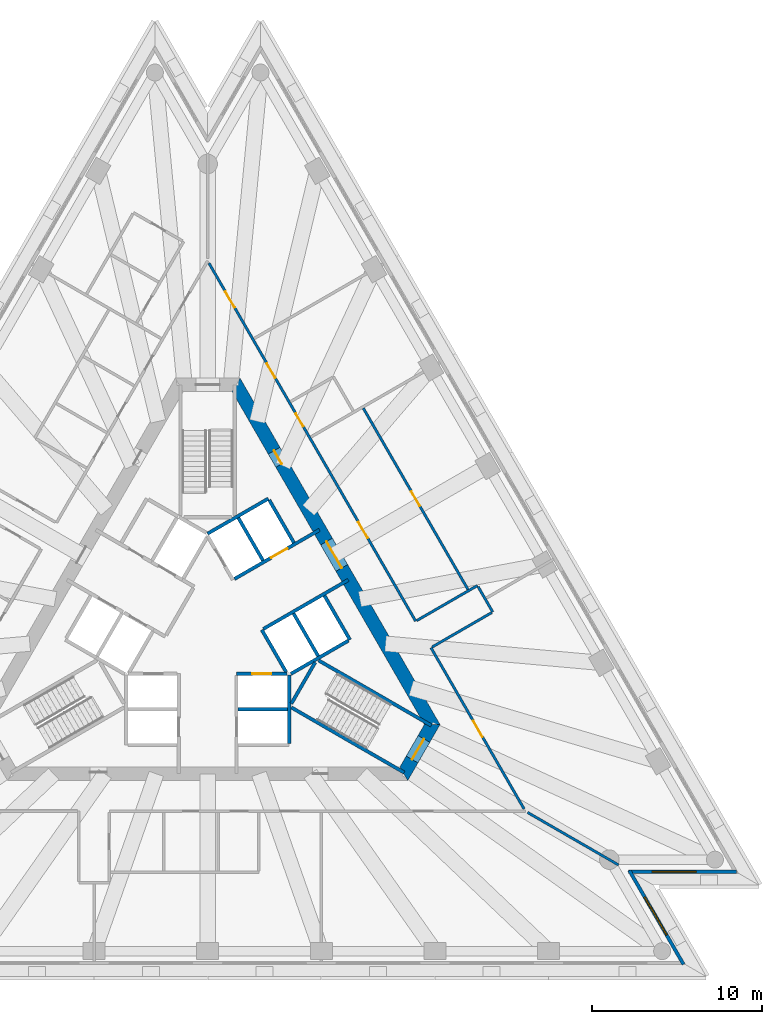
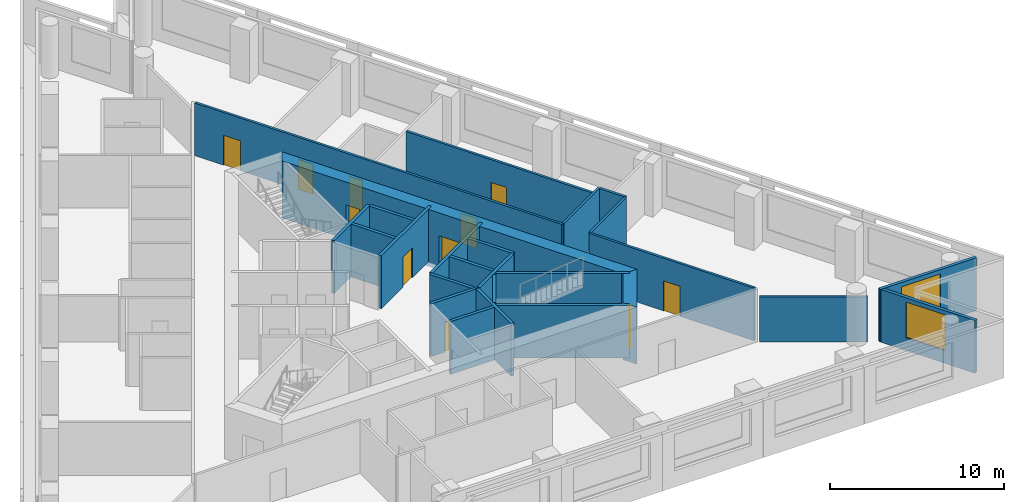
# One storey, part 5 of 9: 26 walls, 11 doors, 2 windows, 13 openings.
"""IFC4 building model written with IfcOpenShell, lengths in metres."""

from ifc_helpers import new_model, si_unit, direction, frame, frame_2d, origin, place, context, subcontext, project, spatial, polyline, rectangle, outline, extrude, material, layer, layer_set, layer_usage, type_object, element, fill, save


model = new_model("IFC4")

# Units and contexts
model_context = context("Model", 3, precision=1e-05, world=origin(), true_north=direction((0.0, 1.0)))
body_context = subcontext(model_context, "Body", "Model", "MODEL_VIEW")
ifc_project = project(units=[si_unit("LENGTHUNIT", "METRE"), si_unit("AREAUNIT", "SQUARE_METRE"), si_unit("VOLUMEUNIT", "CUBIC_METRE"), si_unit("PLANEANGLEUNIT", "RADIAN"), si_unit("MASSUNIT", "GRAM", prefix="KILO")], contexts=[model_context])

# Site, building, storey
site_placement = place(None, origin())
site = spatial("IfcSite", under=ifc_project, at=site_placement, CompositionType="ELEMENT")
building_placement = place(site_placement, origin())
building = spatial("IfcBuilding", under=site, at=building_placement, Name="Triada Interchange Tower", CompositionType="ELEMENT")
storey_placement = place(building_placement, frame((0.0, 0.0, 144.300048828125)))
storey = spatial("IfcBuildingStorey", under=building, at=storey_placement, Name="L33", CompositionType="ELEMENT", Elevation=144.300048828125)

# Wall
ifc_material_1 = material(Name="Concrete C30/37", Category="concrete")
ifc_layer_1 = layer(ifc_material_1, 0.199951171875)
ifc_layer_set_1 = layer_set([ifc_layer_1], Name="CORE WALL 200 EI 120")
wall_type_1 = type_object("IfcWallType", Name="CORE WALL 200 EI 120", PredefinedType="SOLIDWALL", material=ifc_layer_set_1)
wall_1_placement = place(storey_placement, frame((1.800048828125, -4.800048828125, 0.0), z_axis=(0.0, 0.0, 1.0), x_axis=(1.0, 0.0, 0.0)))
element("IfcWall", 1, at=wall_1_placement, inside=storey, type_object=wall_type_1, Name="Wall L32 49", PredefinedType="SOLIDWALL", context=body_context, shape_type="SweptSolid", body=[
    extrude(rectangle(XDim=2.89990234375, YDim=0.199951171875, at=frame_2d((1.449951171875, 0.0))), origin(), (0.0, 0.0, 1.0), 3.699951171875),
])

# Wall, opening, door
wall_2_placement = place(storey_placement, frame((1.702880859375, -2.699951171875, 0.0), z_axis=(0.0, 0.0, 1.0), x_axis=(1.0, 0.0, 0.0)))
wall_2 = element("IfcWall", 2, at=wall_2_placement, inside=storey, type_object=wall_type_1, Name="Wall L32 55", PredefinedType="SOLIDWALL", context=body_context, shape_type="SweptSolid", body=[
    extrude(rectangle(XDim=2.97314453125, YDim=0.199951171875, at=frame_2d((1.486572265625, 0.0))), origin(), (0.0, 0.0, 1.0), 3.699951171875),
])
opening_1_placement = place(wall_2_placement, frame((0.93603515625, 0.0, 0.0)))
opening_1 = element("IfcOpeningElement", 3, at=opening_1_placement, cuts=wall_2, Name="Opening LD-LR1", PredefinedType="OPENING", context=body_context, shape_type="SweptSolid", body=[
    extrude(rectangle(XDim=1.10009765625, YDim=2.10009765625, at=frame_2d((0.550048828125, 1.050048828125))), frame((0.0, 0.10986328125, 0.0), z_axis=(0.0, -1.0, 0.0), x_axis=(1.0, 0.0, 0.0)), (0.0, 0.0, 1.0), 0.219970703125),
])
ifc_material_2 = material(Name="Steel S235 door leaf", Category="steel")
door_type_1 = type_object("IfcDoorType", Name="LIFT LANDING DOOR 1100 EI 120", OperationType="SLIDING_TO_LEFT", PredefinedType="DOOR", material=ifc_material_2)
door_1_placement = place(opening_1_placement, origin())
door_1 = element("IfcDoor", 4, at=door_1_placement, inside=storey, type_object=door_type_1, Name="LR1 landing door L33", OperationType="SLIDING_TO_LEFT", OverallHeight=2.10009765625, OverallWidth=1.10009765625, PredefinedType="DOOR", context=body_context, shape_type="SweptSolid", body=[
    extrude(rectangle(XDim=1.10009765625, YDim=2.10009765625, at=frame_2d((0.550048828125, 1.050048828125))), frame((0.0, 0.02490234375, 0.0), z_axis=(0.0, -1.0, 0.0), x_axis=(1.0, 0.0, 0.0)), (0.0, 0.0, 1.0), 0.050048828125),
])
fill(opening_1, door_1)

# Walls
wall_3_placement = place(storey_placement, frame((-0.001953125, 5.5419921875, 0.0), z_axis=(0.0, 0.0, 1.0), x_axis=(0.866103910842, 0.499863997127, 0.0)))
element("IfcWall", 5, at=wall_3_placement, inside=storey, type_object=wall_type_1, Name="Wall L32 56", PredefinedType="SOLIDWALL", context=body_context, shape_type="SweptSolid", body=[
    extrude(rectangle(XDim=4.131103515625, YDim=0.199951171875, at=frame_2d((2.0654296875, 0.0))), origin(), (0.0, 0.0, 1.0), 3.699951171875),
])
wall_4_placement = place(storey_placement, frame((3.18994140625, -0.125, 0.0), z_axis=(0.0, 0.0, 1.0), x_axis=(0.499988658015, -0.866031951983, 0.0)))
element("IfcWall", 6, at=wall_4_placement, inside=storey, type_object=wall_type_1, Name="Wall L32 58", PredefinedType="SOLIDWALL", context=body_context, shape_type="SweptSolid", body=[
    extrude(rectangle(XDim=2.85791015625, YDim=0.199951171875, at=frame_2d((1.428955078125, 0.0))), origin(), (0.0, 0.0, 1.0), 3.699951171875),
])

# Wall, opening, door
wall_5_placement = place(storey_placement, frame((1.576904296875, 2.8740234375, 0.0), z_axis=(0.0, 0.0, 1.0), x_axis=(0.866073694534, 0.499916348638, 0.0)))
wall_5 = element("IfcWall", 7, at=wall_5_placement, inside=storey, type_object=wall_type_1, Name="Wall L32 59", PredefinedType="SOLIDWALL", context=body_context, shape_type="SweptSolid", body=[
    extrude(rectangle(XDim=5.77685546875, YDim=0.199951171875, at=frame_2d((2.888427734375, 0.0))), origin(), (0.0, 0.0, 1.0), 3.699951171875),
])
opening_2_placement = place(wall_5_placement, frame((2.4970703125, 0.0, 0.0)))
opening_2 = element("IfcOpeningElement", 8, at=opening_2_placement, cuts=wall_5, Name="Opening LD-LR6", PredefinedType="OPENING", context=body_context, shape_type="SweptSolid", body=[
    extrude(rectangle(XDim=1.10009765625, YDim=2.10009765625, at=frame_2d((0.550048828125, 1.050048828125))), frame((0.0, 0.10986328125, 0.0), z_axis=(0.0, -1.0, 0.0), x_axis=(1.0, 0.0, 0.0)), (0.0, 0.0, 1.0), 0.219970703125),
])
door_2_placement = place(opening_2_placement, origin())
door_2 = element("IfcDoor", 9, at=door_2_placement, inside=storey, type_object=door_type_1, Name="LR6 landing door L33", OperationType="SLIDING_TO_LEFT", OverallHeight=2.10009765625, OverallWidth=1.10009765625, PredefinedType="DOOR", context=body_context, shape_type="SweptSolid", body=[
    extrude(rectangle(XDim=1.10009765625, YDim=2.10009765625, at=frame_2d((0.550048828125, 1.050048828125))), frame((0.0, 0.02490234375, 0.0), z_axis=(0.0, -1.0, 0.0), x_axis=(1.0, 0.0, 0.0)), (0.0, 0.0, 1.0), 0.050048828125),
])
fill(opening_2, door_2)

# Walls
wall_6_placement = place(storey_placement, frame((3.278076171875, -0.071044921875, 0.0), z_axis=(0.0, 0.0, 1.0), x_axis=(0.865929348003, 0.5001663366, 0.0)))
element("IfcWall", 10, at=wall_6_placement, inside=storey, type_object=wall_type_1, Name="Wall L32 61", PredefinedType="SOLIDWALL", context=body_context, shape_type="SweptSolid", body=[
    extrude(rectangle(XDim=5.7763671875, YDim=0.199951171875, at=frame_2d((2.88818359375, 0.0))), origin(), (0.0, 0.0, 1.0), 3.699951171875),
])
wall_7_placement = place(storey_placement, frame((4.800048828125, -6.800048828125, 0.0), z_axis=(0.0, 0.0, 1.0), x_axis=(0.0, 1.0, 0.0)))
element("IfcWall", 11, at=wall_7_placement, inside=storey, type_object=wall_type_1, Name="Wall L32 62", PredefinedType="SOLIDWALL", context=body_context, shape_type="SweptSolid", body=[
    extrude(rectangle(XDim=4.029052734375, YDim=0.199951171875, at=frame_2d((2.0146484375, 0.0))), origin(), (0.0, 0.0, 1.0), 3.699951171875),
])
wall_8_placement = place(storey_placement, frame((3.6259765625, 7.52001953125, 0.0), z_axis=(0.0, 0.0, 1.0), x_axis=(0.500060147554, -0.865990674793, 0.0)))
element("IfcWall", 12, at=wall_8_placement, inside=storey, type_object=wall_type_1, Name="Wall L32 63", PredefinedType="SOLIDWALL", context=body_context, shape_type="SweptSolid", body=[
    extrude(rectangle(XDim=2.899658203125, YDim=0.199951171875, at=frame_2d((1.44970703125, 0.0))), origin(), (0.0, 0.0, 1.0), 3.699951171875),
])
wall_9_placement = place(storey_placement, frame((6.8759765625, 1.89111328125, 0.0), z_axis=(0.0, 0.0, 1.0), x_axis=(0.499990139034, -0.866031096941, 0.0)))
element("IfcWall", 13, at=wall_9_placement, inside=storey, type_object=wall_type_1, Name="Wall L32 64", PredefinedType="SOLIDWALL", context=body_context, shape_type="SweptSolid", body=[
    extrude(rectangle(XDim=3.0, YDim=0.199951171875, at=frame_2d((1.5, 0.0))), origin(), (0.0, 0.0, 1.0), 3.699951171875),
])
for number, where, z_axis, x_axis, name in (
    (14, (1.806884765625, 6.469970703125, 0.0), (0.0, 0.0, 1.0), (0.50012328804, -0.865954211699, 0.0), "Wall L32 65"),
    (15, (5.056884765625, 0.841064453125, 0.0), (0.0, 0.0, 1.0), (0.50012328804, -0.865954211699, 0.0), "Wall L32 66"),
):
    element("IfcWall", number, at=place(storey_placement, frame(where, z_axis=z_axis, x_axis=x_axis)), inside=storey, type_object=wall_type_1, Name=name, PredefinedType="SOLIDWALL", context=body_context, shape_type="SweptSolid", body=[
        extrude(rectangle(XDim=2.899658203125, YDim=0.199951171875, at=frame_2d((1.44970703125, 0.0))), origin(), (0.0, 0.0, 1.0), 3.699951171875),
    ])
wall_10_placement = place(storey_placement, frame((4.89990234375, -2.714111328125, 0.0), z_axis=(0.0, 0.0, 1.0), x_axis=(0.865992350556, 0.500057245502, 0.0)))
element("IfcWall", 16, at=wall_10_placement, inside=storey, type_object=wall_type_1, Name="Wall L32 67", PredefinedType="SOLIDWALL", context=body_context, shape_type="SweptSolid", body=[
    extrude(rectangle(XDim=3.91357421875, YDim=0.199951171875, at=frame_2d((1.956787109375, 0.0))), origin(), (0.0, 0.0, 1.0), 3.699951171875),
])
ifc_layer_2 = layer(ifc_material_1, 0.199951171875)
ifc_layer_set_2 = layer_set([ifc_layer_2], Name="CORE WALL 200 REI 240")
wall_type_2 = type_object("IfcWallType", Name="CORE WALL 200 REI 240", PredefinedType="SOLIDWALL", material=ifc_layer_set_2)
wall_11_placement = place(storey_placement, frame((4.928955078125, -4.693115234375, 0.0), z_axis=(0.0, 0.0, 1.0), x_axis=(0.866005769735, -0.50003400563, 0.0)))
element("IfcWall", 17, at=wall_11_placement, inside=storey, type_object=wall_type_2, Name="Wall L32 89", PredefinedType="SOLIDWALL", context=body_context, shape_type="SweptSolid", body=[
    extrude(rectangle(XDim=7.6650390625, YDim=0.199951171875, at=frame_2d((3.83251953125, 0.0))), origin(), (0.0, 0.0, 1.0), 3.699951171875),
])
wall_12_placement = place(storey_placement, frame((4.928955078125, -4.4619140625, 0.0), z_axis=(0.0, 0.0, 1.0), x_axis=(0.500200581029, 0.865909567298, 0.0)))
element("IfcWall", 18, at=wall_12_placement, inside=storey, type_object=wall_type_2, Name="Wall L32 90", PredefinedType="SOLIDWALL", context=body_context, shape_type="SweptSolid", body=[
    extrude(rectangle(XDim=2.799072265625, YDim=0.199951171875, at=frame_2d((1.3994140625, 0.0))), origin(), (0.0, 0.0, 1.0), 3.699951171875),
])
wall_13_placement = place(storey_placement, frame((6.529052734375, -1.922119140625, 0.0), z_axis=(0.0, 0.0, 1.0), x_axis=(0.866060938598, -0.499938446846, 0.0)))
element("IfcWall", 19, at=wall_13_placement, inside=storey, type_object=wall_type_2, Name="Wall L32 91", PredefinedType="SOLIDWALL", context=body_context, shape_type="SweptSolid", body=[
    extrude(rectangle(XDim=7.66455078125, YDim=0.199951171875, at=frame_2d((3.832275390625, 0.0))), origin(), (0.0, 0.0, 1.0), 3.699951171875),
])

# Wall, opening, door
ifc_material_3 = material(Name="Concrete C60/75", Category="concrete")
ifc_layer_3 = layer(ifc_material_3, 0.800048828125)
ifc_layer_set_3 = layer_set([ifc_layer_3], Name="Core wall B 800")
wall_type_3 = type_object("IfcWallType", Name="Core wall B 800", PredefinedType="SHEAR", material=ifc_layer_set_3)
wall_14_placement = place(storey_placement, frame((11.547119140625, -8.60009765625, -0.300048828125), z_axis=(0.0, 0.0, 1.0), x_axis=(0.49987182685, 0.866099391942, 0.0)))
wall_14 = element("IfcWall", 20, at=wall_14_placement, inside=storey, type_object=wall_type_3, Name="Core wall WB05 L33", PredefinedType="SHEAR", context=body_context, shape_type="SweptSolid", body=[
    extrude(outline(polyline([(-0.23095703125, -0.39990234375), (1.674072265625, -0.39990234375), (3.5791015625, -0.39990234375), (3.117919921875, 0.39990234375), (1.67431640625, 0.39990234375), (0.23095703125, 0.39990234375), (-0.23095703125, -0.39990234375)])), origin(), (0.0, 0.0, 1.0), 4.0),
])
opening_3_placement = place(wall_14_placement, frame((0.97412109375, 0.0, 0.300048828125)))
opening_3 = element("IfcOpeningElement", 21, at=opening_3_placement, cuts=wall_14, Name="Opening D32-37", PredefinedType="OPENING", context=body_context, shape_type="SweptSolid", body=[
    extrude(rectangle(XDim=1.39990234375, YDim=2.10009765625, at=frame_2d((0.699951171875, 1.050048828125))), frame((0.0, 0.409912109375, 0.0), z_axis=(0.0, -1.0, 0.0), x_axis=(1.0, 0.0, 0.0)), (0.0, 0.0, 1.0), 0.820068359375),
])
door_type_2 = type_object("IfcDoorType", Name="STAIR DOOR 1400 EI2 90-C5S200", OperationType="DOUBLE_DOOR_SINGLE_SWING", PredefinedType="DOOR", material=ifc_material_2)
door_3_placement = place(opening_3_placement, origin())
door_3 = element("IfcDoor", 22, at=door_3_placement, inside=storey, type_object=door_type_2, Name="Door D32-37 L33", OperationType="DOUBLE_DOOR_SINGLE_SWING", OverallHeight=2.10009765625, OverallWidth=1.39990234375, PredefinedType="DOOR", context=body_context, shape_type="SweptSolid", body=[
    extrude(rectangle(XDim=1.39990234375, YDim=2.10009765625, at=frame_2d((0.699951171875, 1.050048828125))), frame((0.0, 0.02490234375, 0.0), z_axis=(0.0, -1.0, 0.0), x_axis=(1.0, 0.0, 0.0)), (0.0, 0.0, 1.0), 0.050048828125),
])
fill(opening_3, door_3)

# Wall, openings, doors
wall_15_placement = place(storey_placement, frame((13.220947265625, -5.699951171875, -0.300048828125), z_axis=(0.0, 0.0, 1.0), x_axis=(-0.499995765644, 0.866027848477, 0.0)))
wall_15 = element("IfcWall", 23, at=wall_15_placement, inside=storey, type_object=wall_type_3, Name="Core wall WB06 L33", PredefinedType="SHEAR", context=body_context, shape_type="SweptSolid", body=[
    extrude(outline(polyline([(-0.23095703125, -0.39990234375), (1.73193359375, -0.39990234375), (3.695068359375, -0.39990234375), (5.657958984375, -0.39990234375), (7.62109375, -0.39990234375), (9.583984375, -0.39990234375), (11.546875, -0.39990234375), (13.510009765625, -0.39990234375), (15.472900390625, -0.39990234375), (17.43603515625, -0.39990234375), (19.39892578125, -0.39990234375), (21.362060546875, -0.39990234375), (23.324951171875, -0.39990234375), (22.863037109375, 0.39990234375), (20.97705078125, 0.39990234375), (19.091064453125, 0.39990234375), (17.205078125, 0.39990234375), (15.319091796875, 0.39990234375), (13.43310546875, 0.39990234375), (11.546875, 0.39990234375), (9.660888671875, 0.39990234375), (7.77490234375, 0.39990234375), (5.888916015625, 0.39990234375), (4.0029296875, 0.39990234375), (2.116943359375, 0.39990234375), (0.23095703125, 0.39990234375), (-0.23095703125, -0.39990234375)])), origin(), (0.0, 0.0, 1.0), 4.0),
])
opening_4_placement = place(wall_15_placement, frame((10.64697265625, 0.0, 0.300048828125)))
opening_4 = element("IfcOpeningElement", 24, at=opening_4_placement, cuts=wall_15, Name="Opening D32-34", PredefinedType="OPENING", context=body_context, shape_type="SweptSolid", body=[
    extrude(rectangle(XDim=1.800048828125, YDim=2.10009765625, at=frame_2d((0.89990234375, 1.050048828125))), frame((0.0, 0.409912109375, 0.0), z_axis=(0.0, -1.0, 0.0), x_axis=(1.0, 0.0, 0.0)), (0.0, 0.0, 1.0), 0.820068359375),
])
opening_5_placement = place(wall_15_placement, frame((17.720947265625, 0.0, 0.300048828125)))
opening_5 = element("IfcOpeningElement", 25, at=opening_5_placement, cuts=wall_15, Name="Opening D32-41", PredefinedType="OPENING", context=body_context, shape_type="SweptSolid", body=[
    extrude(rectangle(XDim=0.89990234375, YDim=2.10009765625, at=frame_2d((0.449951171875, 1.050048828125))), frame((0.0, 0.409912109375, 0.0), z_axis=(0.0, -1.0, 0.0), x_axis=(1.0, 0.0, 0.0)), (0.0, 0.0, 1.0), 0.820068359375),
])
door_type_3 = type_object("IfcDoorType", Name="LOBBY DOOR 1800 EI2 90-C5S200", OperationType="DOUBLE_DOOR_SINGLE_SWING", PredefinedType="DOOR", material=ifc_material_2)
door_4_placement = place(opening_4_placement, origin())
door_4 = element("IfcDoor", 26, at=door_4_placement, inside=storey, type_object=door_type_3, Name="Door D32-34 L33", OperationType="DOUBLE_DOOR_SINGLE_SWING", OverallHeight=2.10009765625, OverallWidth=1.800048828125, PredefinedType="DOOR", context=body_context, shape_type="SweptSolid", body=[
    extrude(rectangle(XDim=1.800048828125, YDim=2.10009765625, at=frame_2d((0.89990234375, 1.050048828125))), frame((0.0, 0.02490234375, 0.0), z_axis=(0.0, -1.0, 0.0), x_axis=(1.0, 0.0, 0.0)), (0.0, 0.0, 1.0), 0.050048828125),
])
fill(opening_4, door_4)
door_type_4 = type_object("IfcDoorType", Name="SERVICE DOOR 900 EI2 45-C5S200", OperationType="NOTDEFINED", PredefinedType="DOOR", material=ifc_material_2)
door_5_placement = place(opening_5_placement, origin())
door_5 = element("IfcDoor", 27, at=door_5_placement, inside=storey, type_object=door_type_4, Name="Door D32-41 L33", OperationType="SINGLE_SWING_RIGHT", OverallHeight=2.10009765625, OverallWidth=0.89990234375, PredefinedType="DOOR", context=body_context, shape_type="SweptSolid", body=[
    extrude(rectangle(XDim=0.89990234375, YDim=2.10009765625, at=frame_2d((0.449951171875, 1.050048828125))), frame((0.0, 0.02490234375, 0.0), z_axis=(0.0, -1.0, 0.0), x_axis=(1.0, 0.0, 0.0)), (0.0, 0.0, 1.0), 0.050048828125),
])
fill(opening_5, door_5)

# Wall, opening, window
ifc_material_4 = material(Name="Cement board")
ifc_layer_4 = layer(ifc_material_4, 0.02001953125, Name="Cement board cladding")
ifc_material_5 = material(Name="Sheathing board")
ifc_layer_5 = layer(ifc_material_5, 0.014892578125, Name="Sheathing board")
ifc_material_6 = material(Name="Mineral wool")
ifc_layer_6 = layer(ifc_material_6, 0.14990234375, Name="Mineral wool between steel studs")
ifc_material_7 = material(Name="Gypsum board")
ifc_layer_7 = layer(ifc_material_7, 0.014892578125, Name="Plasterboard lining")
ifc_layer_set_4 = layer_set([ifc_layer_4, ifc_layer_5, ifc_layer_6, ifc_layer_7], Name="External wall 200")
ifc_layer_usage = layer_usage(ifc_layer_set_4, "AXIS2", "POSITIVE", -0.10009765625)
wall_type_4 = type_object("IfcWallType", Name="External wall 200", PredefinedType="ELEMENTEDWALL", material=ifc_layer_set_4)
wall_16_placement = place(storey_placement, frame((28.01806640625, -19.81689453125, 0.0), z_axis=(0.0, 0.0, 1.0), x_axis=(-0.499919089554, 0.866072112413, 0.0)))
wall_16 = element("IfcWall", 28, at=wall_16_placement, inside=storey, type_object=wall_type_4, material=ifc_layer_usage, Name="External wall L33 SE-1", PredefinedType="ELEMENTEDWALL", context=body_context, shape_type="SweptSolid", body=[
    extrude(rectangle(XDim=6.376953125, YDim=0.199951171875, at=frame_2d((3.1884765625, 0.0))), origin(), (0.0, 0.0, 1.0), 3.699951171875),
])
opening_6_placement = place(wall_16_placement, frame((1.989990234375, 0.0, 0.89990234375)))
opening_6 = element("IfcOpeningElement", 29, at=opening_6_placement, cuts=wall_16, Name="Opening WB19", PredefinedType="OPENING", context=body_context, shape_type="SweptSolid", body=[
    extrude(rectangle(XDim=2.60009765625, YDim=2.5, at=frame_2d((1.300048828125, 1.25))), frame((0.0, 0.10986328125, 0.0), z_axis=(0.0, -1.0, 0.0), x_axis=(1.0, 0.0, 0.0)), (0.0, 0.0, 1.0), 0.219970703125),
])
ifc_material_8 = material(Name="Double glazed aluminium window", Category="aluminium")
window_type = type_object("IfcWindowType", Name="Ribbon window B pocket", PartitioningType="SINGLE_PANEL", PredefinedType="WINDOW", material=ifc_material_8)
window_1_placement = place(opening_6_placement, origin())
window_1 = element("IfcWindow", 30, at=window_1_placement, inside=storey, type_object=window_type, Name="Window L33 SE-1 1", OverallHeight=2.5, OverallWidth=2.60009765625, PartitioningType="SINGLE_PANEL", PredefinedType="WINDOW", context=body_context, shape_type="SweptSolid", body=[
    extrude(rectangle(XDim=2.60009765625, YDim=2.5, at=frame_2d((1.300048828125, 1.25))), frame((0.0, 0.030029296875, 0.0), z_axis=(0.0, -1.0, 0.0), x_axis=(1.0, 0.0, 0.0)), (0.0, 0.0, 1.0), 0.06005859375),
])
fill(opening_6, window_1)

wall_17_placement = place(storey_placement, frame((24.77490234375, -14.35498046875, 0.0), z_axis=(0.0, 0.0, 1.0), x_axis=(1.0, 0.0, 0.0)))
wall_17 = element("IfcWall", 31, at=wall_17_placement, inside=storey, type_object=wall_type_4, material=ifc_layer_usage, Name="External wall L33 SE-2", PredefinedType="ELEMENTEDWALL", context=body_context, shape_type="SweptSolid", body=[
    extrude(rectangle(XDim=6.3759765625, YDim=0.199951171875, at=frame_2d((3.18798828125, 0.0))), origin(), (0.0, 0.0, 1.0), 3.699951171875),
])
opening_7_placement = place(wall_17_placement, frame((1.389892578125, 0.0, 0.89990234375)))
opening_7 = element("IfcOpeningElement", 32, at=opening_7_placement, cuts=wall_17, Name="Opening WB20", PredefinedType="OPENING", context=body_context, shape_type="SweptSolid", body=[
    extrude(rectangle(XDim=2.60009765625, YDim=2.5, at=frame_2d((1.300048828125, 1.25))), frame((0.0, 0.10986328125, 0.0), z_axis=(0.0, -1.0, 0.0), x_axis=(1.0, 0.0, 0.0)), (0.0, 0.0, 1.0), 0.219970703125),
])
window_2_placement = place(opening_7_placement, origin())
window_2 = element("IfcWindow", 33, at=window_2_placement, inside=storey, type_object=window_type, Name="Window L33 SE-2 1", OverallHeight=2.5, OverallWidth=2.60009765625, PartitioningType="SINGLE_PANEL", PredefinedType="WINDOW", context=body_context, shape_type="SweptSolid", body=[
    extrude(rectangle(XDim=2.60009765625, YDim=2.5, at=frame_2d((1.300048828125, 1.25))), frame((0.0, 0.030029296875, 0.0), z_axis=(0.0, -1.0, 0.0), x_axis=(1.0, 0.0, 0.0)), (0.0, 0.0, 1.0), 0.06005859375),
])
fill(opening_7, window_2)

# Wall
ifc_material_9 = material(Name="Gypsum board partition")
ifc_layer_8 = layer(ifc_material_9, 0.14990234375)
ifc_layer_set_5 = layer_set([ifc_layer_8], Name="PARTITION 150 EI 180")
wall_type_5 = type_object("IfcWallType", Name="PARTITION 150 EI 180", PredefinedType="PARTITIONING", material=ifc_layer_set_5)
wall_18_placement = place(storey_placement, frame((18.8359375, -10.8740234375, 0.0), z_axis=(0.0, 0.0, 1.0), x_axis=(0.865990889316, -0.500059776048, 0.0)))
element("IfcWall", 34, at=wall_18_placement, inside=storey, type_object=wall_type_5, Name="Wall L32 10", PredefinedType="PARTITIONING", context=body_context, shape_type="SweptSolid", body=[
    extrude(rectangle(XDim=6.181396484375, YDim=0.14990234375, at=frame_2d((3.0908203125, 0.0))), origin(), (0.0, 0.0, 1.0), 3.14990234375),
])

# Wall, openings, doors
wall_19_placement = place(storey_placement, frame((0.075927734375, 21.468017578125, 0.0), z_axis=(0.0, 0.0, 1.0), x_axis=(0.499999691263, -0.866025582034, 0.0)))
wall_19 = element("IfcWall", 35, at=wall_19_placement, inside=storey, type_object=wall_type_5, Name="Wall L32 28", PredefinedType="PARTITIONING", context=body_context, shape_type="SweptSolid", body=[
    extrude(rectangle(XDim=24.34228515625, YDim=0.14990234375, at=frame_2d((12.171142578125, 0.0))), origin(), (0.0, 0.0, 1.0), 3.699951171875),
])
opening_8_placement = place(wall_19_placement, frame((17.593994140625, 0.0, 0.0)))
opening_8 = element("IfcOpeningElement", 36, at=opening_8_placement, cuts=wall_19, Name="Opening D32-18", PredefinedType="OPENING", context=body_context, shape_type="SweptSolid", body=[
    extrude(rectangle(XDim=1.10009765625, YDim=2.10009765625, at=frame_2d((0.550048828125, 1.050048828125))), frame((0.0, 0.0849609375, 0.0), z_axis=(0.0, -1.0, 0.0), x_axis=(1.0, 0.0, 0.0)), (0.0, 0.0, 1.0), 0.169921875),
])
opening_9_placement = place(wall_19_placement, frame((6.81396484375, 0.0, 0.0)))
opening_9 = element("IfcOpeningElement", 37, at=opening_9_placement, cuts=wall_19, Name="Opening D32-20", PredefinedType="OPENING", context=body_context, shape_type="SweptSolid", body=[
    extrude(rectangle(XDim=1.0, YDim=2.10009765625, at=frame_2d((0.5, 1.050048828125))), frame((0.0, 0.0849609375, 0.0), z_axis=(0.0, -1.0, 0.0), x_axis=(1.0, 0.0, 0.0)), (0.0, 0.0, 1.0), 0.169921875),
])
opening_10_placement = place(wall_19_placement, frame((10.214111328125, 0.0, 0.0)))
opening_10 = element("IfcOpeningElement", 38, at=opening_10_placement, cuts=wall_19, Name="Opening D32-21", PredefinedType="OPENING", context=body_context, shape_type="SweptSolid", body=[
    extrude(rectangle(XDim=0.89990234375, YDim=2.10009765625, at=frame_2d((0.449951171875, 1.050048828125))), frame((0.0, 0.0849609375, 0.0), z_axis=(0.0, -1.0, 0.0), x_axis=(1.0, 0.0, 0.0)), (0.0, 0.0, 1.0), 0.169921875),
])
opening_11_placement = place(wall_19_placement, frame((1.924072265625, 0.0, 0.0)))
opening_11 = element("IfcOpeningElement", 39, at=opening_11_placement, cuts=wall_19, Name="Opening D32-22", PredefinedType="OPENING", context=body_context, shape_type="SweptSolid", body=[
    extrude(rectangle(XDim=1.10009765625, YDim=2.10009765625, at=frame_2d((0.550048828125, 1.050048828125))), frame((0.0, 0.0849609375, 0.0), z_axis=(0.0, -1.0, 0.0), x_axis=(1.0, 0.0, 0.0)), (0.0, 0.0, 1.0), 0.169921875),
])
door_type_5 = type_object("IfcDoorType", Name="ROOM DOOR 1000 EI2 90-C5S200", OperationType="NOTDEFINED", PredefinedType="DOOR", material=ifc_material_2)
door_6_placement = place(opening_9_placement, origin())
door_6 = element("IfcDoor", 40, at=door_6_placement, inside=storey, type_object=door_type_5, Name="Door D32-20 L33", OperationType="SINGLE_SWING_RIGHT", OverallHeight=2.10009765625, OverallWidth=1.0, PredefinedType="DOOR", context=body_context, shape_type="SweptSolid", body=[
    extrude(rectangle(XDim=1.0, YDim=2.10009765625, at=frame_2d((0.5, 1.050048828125))), frame((0.0, 0.02490234375, 0.0), z_axis=(0.0, -1.0, 0.0), x_axis=(1.0, 0.0, 0.0)), (0.0, 0.0, 1.0), 0.050048828125),
])
fill(opening_9, door_6)
door_type_6 = type_object("IfcDoorType", Name="SERVICE DOOR 900 EI2 90-C5S200", OperationType="NOTDEFINED", PredefinedType="DOOR", material=ifc_material_2)
door_7_placement = place(opening_10_placement, origin())
door_7 = element("IfcDoor", 41, at=door_7_placement, inside=storey, type_object=door_type_6, Name="Door D32-21 L33", OperationType="SINGLE_SWING_LEFT", OverallHeight=2.10009765625, OverallWidth=0.89990234375, PredefinedType="DOOR", context=body_context, shape_type="SweptSolid", body=[
    extrude(rectangle(XDim=0.89990234375, YDim=2.10009765625, at=frame_2d((0.449951171875, 1.050048828125))), frame((0.0, 0.02490234375, 0.0), z_axis=(0.0, -1.0, 0.0), x_axis=(1.0, 0.0, 0.0)), (0.0, 0.0, 1.0), 0.050048828125),
])
fill(opening_10, door_7)
door_type_7 = type_object("IfcDoorType", Name="TENANCY ENTRANCE DOOR 1100 EI2 90-C5S200", OperationType="NOTDEFINED", PredefinedType="DOOR", material=ifc_material_2)
door_8_placement = place(opening_8_placement, origin())
door_8 = element("IfcDoor", 42, at=door_8_placement, inside=storey, type_object=door_type_7, Name="Door D32-18 L33", OperationType="SINGLE_SWING_LEFT", OverallHeight=2.10009765625, OverallWidth=1.10009765625, PredefinedType="DOOR", context=body_context, shape_type="SweptSolid", body=[
    extrude(rectangle(XDim=1.10009765625, YDim=2.10009765625, at=frame_2d((0.550048828125, 1.050048828125))), frame((0.0, 0.02490234375, 0.0), z_axis=(0.0, -1.0, 0.0), x_axis=(1.0, 0.0, 0.0)), (0.0, 0.0, 1.0), 0.050048828125),
])
fill(opening_8, door_8)
door_9_placement = place(opening_11_placement, origin())
door_9 = element("IfcDoor", 43, at=door_9_placement, inside=storey, type_object=door_type_7, Name="Door D32-22 L33", OperationType="SINGLE_SWING_LEFT", OverallHeight=2.10009765625, OverallWidth=1.10009765625, PredefinedType="DOOR", context=body_context, shape_type="SweptSolid", body=[
    extrude(rectangle(XDim=1.10009765625, YDim=2.10009765625, at=frame_2d((0.550048828125, 1.050048828125))), frame((0.0, 0.02490234375, 0.0), z_axis=(0.0, -1.0, 0.0), x_axis=(1.0, 0.0, 0.0)), (0.0, 0.0, 1.0), 0.050048828125),
])
fill(opening_11, door_9)

# Wall, opening, door
wall_20_placement = place(storey_placement, frame((13.14794921875, -1.174072265625, 0.0), z_axis=(0.0, 0.0, 1.0), x_axis=(0.500088017957, -0.865974580629, 0.0)))
wall_20 = element("IfcWall", 44, at=wall_20_placement, inside=storey, type_object=wall_type_5, Name="Wall L32 29", PredefinedType="PARTITIONING", context=body_context, shape_type="SweptSolid", body=[
    extrude(rectangle(XDim=10.96435546875, YDim=0.14990234375, at=frame_2d((5.482177734375, 0.0))), origin(), (0.0, 0.0, 1.0), 3.699951171875),
])
opening_12_placement = place(wall_20_placement, frame((4.964111328125, 0.0, 0.0)))
opening_12 = element("IfcOpeningElement", 45, at=opening_12_placement, cuts=wall_20, Name="Opening D32-17", PredefinedType="OPENING", context=body_context, shape_type="SweptSolid", body=[
    extrude(rectangle(XDim=1.10009765625, YDim=2.10009765625, at=frame_2d((0.550048828125, 1.050048828125))), frame((0.0, 0.0849609375, 0.0), z_axis=(0.0, -1.0, 0.0), x_axis=(1.0, 0.0, 0.0)), (0.0, 0.0, 1.0), 0.169921875),
])
door_10_placement = place(opening_12_placement, origin())
door_10 = element("IfcDoor", 46, at=door_10_placement, inside=storey, type_object=door_type_7, Name="Door D32-17 L33", OperationType="SINGLE_SWING_RIGHT", OverallHeight=2.10009765625, OverallWidth=1.10009765625, PredefinedType="DOOR", context=body_context, shape_type="SweptSolid", body=[
    extrude(rectangle(XDim=1.10009765625, YDim=2.10009765625, at=frame_2d((0.550048828125, 1.050048828125))), frame((0.0, 0.02490234375, 0.0), z_axis=(0.0, -1.0, 0.0), x_axis=(1.0, 0.0, 0.0)), (0.0, 0.0, 1.0), 0.050048828125),
])
fill(opening_12, door_10)

# Walls
wall_21_placement = place(storey_placement, frame((12.31396484375, 0.424072265625, 0.0), z_axis=(0.0, 0.0, 1.0), x_axis=(0.865997263264, 0.500048737644, 0.0)))
element("IfcWall", 47, at=wall_21_placement, inside=storey, type_object=wall_type_5, Name="Wall L32 36", PredefinedType="PARTITIONING", context=body_context, shape_type="SweptSolid", body=[
    extrude(rectangle(XDim=4.12353515625, YDim=0.14990234375, at=frame_2d((2.061767578125, 0.0))), origin(), (0.0, 0.0, 1.0), 3.699951171875),
])
wall_22_placement = place(storey_placement, frame((15.923095703125, 2.4208984375, 0.0), z_axis=(0.0, 0.0, 1.0), x_axis=(0.499702028684, -0.866197369269, 0.0)))
element("IfcWall", 48, at=wall_22_placement, inside=storey, type_object=wall_type_5, Name="Wall L32 37", PredefinedType="PARTITIONING", context=body_context, shape_type="SweptSolid", body=[
    extrude(rectangle(XDim=1.724609375, YDim=0.14990234375, at=frame_2d((0.8623046875, 0.0))), origin(), (0.0, 0.0, 1.0), 3.699951171875),
])
wall_23_placement = place(storey_placement, frame((13.214111328125, -1.135009765625, 0.0), z_axis=(0.0, 0.0, 1.0), x_axis=(0.865940524948, 0.500146985649, 0.0)))
element("IfcWall", 49, at=wall_23_placement, inside=storey, type_object=wall_type_5, Name="Wall L32 40", PredefinedType="PARTITIONING", context=body_context, shape_type="SweptSolid", body=[
    extrude(rectangle(XDim=4.048583984375, YDim=0.14990234375, at=frame_2d((2.0244140625, 0.0))), origin(), (0.0, 0.0, 1.0), 3.699951171875),
])

# Wall, opening, door
ifc_layer_9 = layer(ifc_material_9, 0.14990234375)
ifc_layer_set_6 = layer_set([ifc_layer_9], Name="PARTITION 150 EI 90")
wall_type_6 = type_object("IfcWallType", Name="PARTITION 150 EI 90", PredefinedType="PARTITIONING", material=ifc_layer_set_6)
wall_24_placement = place(storey_placement, frame((9.1630859375, 12.928955078125, 0.0), z_axis=(0.0, 0.0, 1.0), x_axis=(0.499991554064, -0.866030279993, 0.0)))
wall_24 = element("IfcWall", 50, at=wall_24_placement, inside=storey, type_object=wall_type_6, Name="Wall L32 45", PredefinedType="PARTITIONING", context=body_context, shape_type="SweptSolid", body=[
    extrude(rectangle(XDim=12.329833984375, YDim=0.14990234375, at=frame_2d((6.1650390625, 0.0))), origin(), (0.0, 0.0, 1.0), 3.699951171875),
])
opening_13_placement = place(wall_24_placement, frame((5.655029296875, 0.0, 0.0)))
opening_13 = element("IfcOpeningElement", 51, at=opening_13_placement, cuts=wall_24, Name="Opening D32-19", PredefinedType="OPENING", context=body_context, shape_type="SweptSolid", body=[
    extrude(rectangle(XDim=1.0, YDim=2.10009765625, at=frame_2d((0.5, 1.050048828125))), frame((0.0, 0.0849609375, 0.0), z_axis=(0.0, -1.0, 0.0), x_axis=(1.0, 0.0, 0.0)), (0.0, 0.0, 1.0), 0.169921875),
])
door_type_8 = type_object("IfcDoorType", Name="ROOM DOOR 1000 EI2 45-C5S200", OperationType="NOTDEFINED", PredefinedType="DOOR", material=ifc_material_2)
door_11_placement = place(opening_13_placement, origin())
door_11 = element("IfcDoor", 52, at=door_11_placement, inside=storey, type_object=door_type_8, Name="Door D32-19 L33", OperationType="SINGLE_SWING_RIGHT", OverallHeight=2.10009765625, OverallWidth=1.0, PredefinedType="DOOR", context=body_context, shape_type="SweptSolid", body=[
    extrude(rectangle(XDim=1.0, YDim=2.10009765625, at=frame_2d((0.5, 1.050048828125))), frame((0.0, 0.02490234375, 0.0), z_axis=(0.0, -1.0, 0.0), x_axis=(1.0, 0.0, 0.0)), (0.0, 0.0, 1.0), 0.050048828125),
])
fill(opening_13, door_11)

save(model, "model.ifc")
